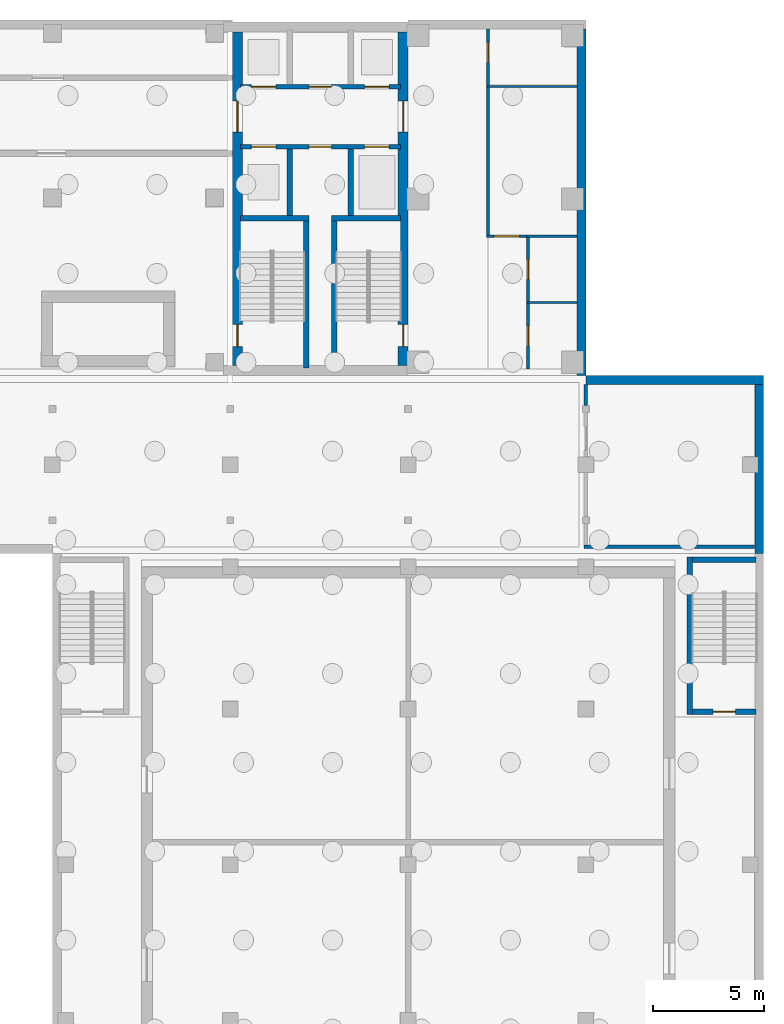
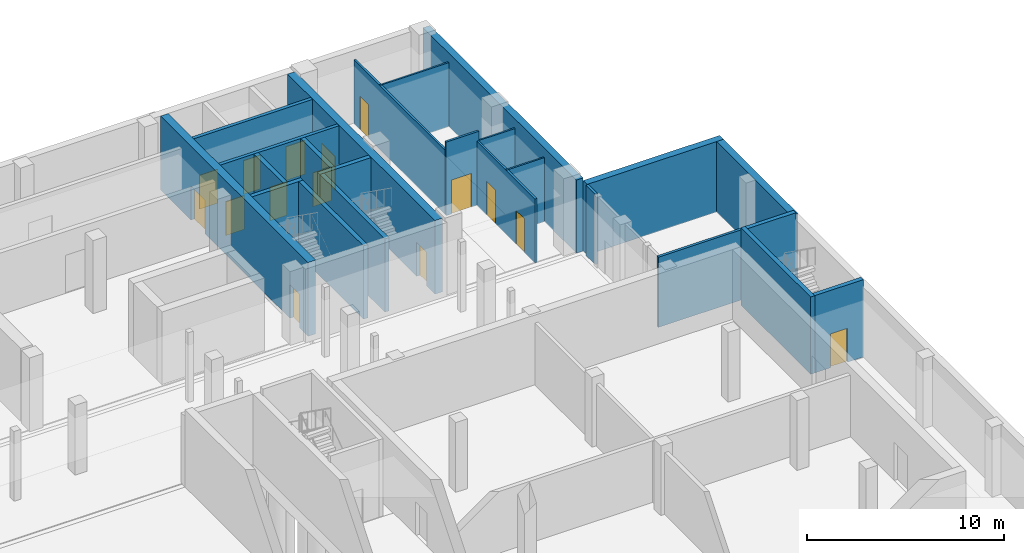
# One storey, part 9 of 21: 24 walls, 15 doors, 15 openings.
"""IFC4 building model written with IfcOpenShell, lengths in metres."""

import ifcopenshell
import ifcopenshell.guid

model = None  # the IFC model being written
_history = None  # IfcOwnerHistory: only IFC2X3 demands one
_inside = {}  # id of a spatial element -> (the spatial element, [elements in it])
_under = {}  # id of a project, library or spatial element -> (it, [spatial elements below it])
_declared = {}  # id of a project -> (the project, [libraries it declares])
_typed = {}  # id of a type object -> (the type object, [elements of that type])
_made_of = {}  # id of a material, layer set ... -> (it, [elements and type objects made of it])


def new_model(schema):
    """Start an empty IFC model of exactly this schema.

    Asked for "IFC4X3", IfcOpenShell would pick the latest addendum, in which some entities
    have other attributes; the version numbers below select the first issue.
    IFC2X3 requires an IfcOwnerHistory on every rooted entity: one is made here for all.
    """
    global model, _history
    if schema == "IFC4X3":
        model = ifcopenshell.file(schema_version=(4, 3, 0, 0))
    else:
        model = ifcopenshell.file(schema=schema)
    _inside.clear()
    _under.clear()
    _declared.clear()
    _typed.clear()
    _made_of.clear()
    _history = None
    if model.schema == "IFC2X3":
        org = make("IfcOrganization", Name="unknown")
        user = make(
            "IfcPersonAndOrganization",
            ThePerson=make("IfcPerson", FamilyName="unknown"),
            TheOrganization=org,
        )
        app = make(
            "IfcApplication",
            ApplicationDeveloper=org,
            Version="unknown",
            ApplicationFullName="unknown",
            ApplicationIdentifier="unknown",
        )
        _history = make(
            "IfcOwnerHistory",
            OwningUser=user,
            OwningApplication=app,
            ChangeAction="ADDED",
            CreationDate=0,
        )
    return model


def make(cls, **values):
    """One entity of the class cls with the attributes given. An attribute that is None is left unset."""
    return model.create_entity(
        cls, **{name: value for name, value in values.items() if value is not None}
    )


def rooted(cls, **values):
    """An entity with a GlobalId (a new one), such as an element, a storey or a relation."""
    return make(cls, GlobalId=ifcopenshell.guid.new(), OwnerHistory=_history, **values)


def si_unit(unit_type, name, prefix=None):
    """IfcSIUnit, for example si_unit("LENGTHUNIT", "METRE", prefix="MILLI")."""
    return make("IfcSIUnit", UnitType=unit_type, Prefix=prefix, Name=name)


def assignment(units):
    """IfcUnitAssignment: the units of a project."""
    return None if units is None else make("IfcUnitAssignment", Units=units)


def point(xyz):
    """IfcCartesianPoint."""
    return None if xyz is None else make("IfcCartesianPoint", Coordinates=xyz)


def direction(xyz):
    """IfcDirection."""
    return None if xyz is None else make("IfcDirection", DirectionRatios=xyz)


def frame(location, z_axis=None, x_axis=None):
    """IfcAxis2Placement3D, a coordinate frame: its origin and axes. An axis left out is left unset."""
    return make(
        "IfcAxis2Placement3D",
        Location=point(location),
        Axis=direction(z_axis),
        RefDirection=direction(x_axis),
    )


def frame_2d(location, x_axis=None):
    """IfcAxis2Placement2D, a coordinate frame in the plane: its origin and x axis."""
    return make(
        "IfcAxis2Placement2D", Location=point(location), RefDirection=direction(x_axis)
    )


def origin():
    """The frame at (0, 0, 0) with its axes left unset."""
    return frame((0.0, 0.0, 0.0))


def place(relative_to, where):
    """IfcLocalPlacement: puts the frame where relative to a parent placement (None: the world)."""
    return make(
        "IfcLocalPlacement", PlacementRelTo=relative_to, RelativePlacement=where
    )


def context(
    kind, dimensions, precision=None, world=None, true_north=None, identifier=None
):
    """IfcGeometricRepresentationContext, for example the 3D "Model" context."""
    return make(
        "IfcGeometricRepresentationContext",
        ContextIdentifier=identifier,
        ContextType=kind,
        CoordinateSpaceDimension=dimensions,
        Precision=precision,
        WorldCoordinateSystem=world,
        TrueNorth=true_north,
    )


def subcontext(parent, identifier, kind, view, scale=None):
    """IfcGeometricRepresentationSubContext, for example "Body" below "Model"."""
    return make(
        "IfcGeometricRepresentationSubContext",
        ContextIdentifier=identifier,
        ContextType=kind,
        ParentContext=parent,
        TargetScale=scale,
        TargetView=view,
    )


def project(units=None, contexts=None):
    """IfcProject with its units and contexts."""
    return rooted(
        "IfcProject",
        Name="project",
        RepresentationContexts=contexts,
        UnitsInContext=assignment(units),
    )


def spatial(cls, under=None, at=None, **own):
    """A site, building, storey or space (cls), placed at a placement, below another one or the project."""
    s = rooted(cls, ObjectPlacement=at, **own)
    if under is not None:
        _under.setdefault(under.id(), (under, []))[1].append(s)
    return s


def profile(cls, at=None, kind="AREA", **sizes):
    """A parametric profile (cls). Its sizes go by their IFC names, for example OverallWidth=200.0."""
    return make(cls, ProfileType=kind, Position=at, **sizes)


def rectangle(**sizes):
    """IfcRectangleProfileDef."""
    return profile("IfcRectangleProfileDef", **sizes)


def extrude(swept, where, along, depth):
    """IfcExtrudedAreaSolid: the profile swept, set in the frame where, extruded along a direction by depth."""
    return make(
        "IfcExtrudedAreaSolid",
        SweptArea=swept,
        Position=where,
        ExtrudedDirection=direction(along),
        Depth=depth,
    )


def shape(context_of_items, identifier, shape_type, items):
    """IfcShapeRepresentation: the items that make up one representation, for example the "Body"."""
    return make(
        "IfcShapeRepresentation",
        ContextOfItems=context_of_items,
        RepresentationIdentifier=identifier,
        RepresentationType=shape_type,
        Items=items,
    )


def material(Name=None, Category=None):
    """IfcMaterial."""
    return make("IfcMaterial", Name=Name, Category=Category)


def layer(
    of_material, thickness, ventilated=None, Name=None, Category=None, Priority=None
):
    """IfcMaterialLayer: one layer of a wall or slab, of a material (None: an air gap)."""
    return make(
        "IfcMaterialLayer",
        Material=of_material,
        LayerThickness=thickness,
        IsVentilated=ventilated,
        Name=Name,
        Category=Category,
        Priority=Priority,
    )


def layer_set(layers, Name=None):
    """IfcMaterialLayerSet."""
    return make("IfcMaterialLayerSet", MaterialLayers=layers, LayerSetName=Name)


def made_of(thing, what):
    """Note that an element or type object is made of a material, layer set ...; save() writes the relation."""
    if what is not None:
        _made_of.setdefault(what.id(), (what, []))[1].append(thing)
    return thing


def type_object(cls, material=None, **own):
    """A type object (cls), such as IfcWallType, which elements share."""
    return made_of(rooted(cls, **own), material)


def element(
    cls,
    number,
    at=None,
    inside=None,
    cuts=None,
    type_object=None,
    material=None,
    context=None,
    identifier="Body",
    shape_type=None,
    held_by="IfcProductDefinitionShape",
    body=None,
    shapes=None,
    **own,
):
    """One element of the class cls, such as IfcWall. Its Tag is "e" and its number.

    at: its placement. inside: the storey or other place that contains it. cuts: it is an
    opening in that element (IfcRelVoidsElement). A single representation is given by context,
    identifier, shape_type and body (its items); several are given by shapes. held_by: the class
    of the entity that holds the representations. save() writes the other relations.
    """
    e = rooted(cls, Tag="e%d" % number, ObjectPlacement=at, **own)
    if body is not None:
        shapes = [shape(context, identifier, shape_type, body)]
    if shapes is not None:
        e.Representation = make(held_by, Representations=shapes)
    if inside is not None:
        _inside.setdefault(inside.id(), (inside, []))[1].append(e)
    if cuts is not None:
        rooted(
            "IfcRelVoidsElement", RelatingBuildingElement=cuts, RelatedOpeningElement=e
        )
    if type_object is not None:
        _typed.setdefault(type_object.id(), (type_object, []))[1].append(e)
    return made_of(e, material)


def fill(opening, filler):
    """IfcRelFillsElement: the door or window that sits in an opening."""
    return rooted(
        "IfcRelFillsElement",
        RelatingOpeningElement=opening,
        RelatedBuildingElement=filler,
    )


def aggregate(whole, parts):
    """IfcRelAggregates: a whole, such as a stair, and the parts it consists of."""
    return rooted("IfcRelAggregates", RelatingObject=whole, RelatedObjects=parts)


def save(model, path):
    """Write the relations noted so far, then the file.

    IfcRelAggregates (storeys below a building ...), IfcRelContainedInSpatialStructure (elements
    in a storey), IfcRelDefinesByType, IfcRelAssociatesMaterial and IfcRelDeclares: one each for
    every whole, place, type object, material and project.
    """
    for whole, parts in _under.values():
        aggregate(whole, parts)
    for where, things in _inside.values():
        rooted(
            "IfcRelContainedInSpatialStructure",
            RelatedElements=things,
            RelatingStructure=where,
        )
    for kind, things in _typed.values():
        rooted("IfcRelDefinesByType", RelatedObjects=things, RelatingType=kind)
    for what, things in _made_of.values():
        rooted("IfcRelAssociatesMaterial", RelatedObjects=things, RelatingMaterial=what)
    for by, libraries in _declared.values():
        rooted("IfcRelDeclares", RelatingContext=by, RelatedDefinitions=libraries)
    model.write(path)


model = new_model("IFC4")

# Units and contexts
model_context = context("Model", 3, precision=1e-05, world=origin(), true_north=direction((0.0, 1.0)))
body_context = subcontext(model_context, "Body", "Model", "MODEL_VIEW")
ifc_project = project(units=[si_unit("LENGTHUNIT", "METRE"), si_unit("AREAUNIT", "SQUARE_METRE"), si_unit("VOLUMEUNIT", "CUBIC_METRE"), si_unit("PLANEANGLEUNIT", "RADIAN"), si_unit("MASSUNIT", "GRAM", prefix="KILO")], contexts=[model_context])

# Site, building, storey
site_placement = place(None, origin())
site = spatial("IfcSite", under=ifc_project, at=site_placement, CompositionType="ELEMENT")
building_placement = place(site_placement, origin())
building = spatial("IfcBuilding", under=site, at=building_placement, Name="Lantern Court Media Centre", CompositionType="ELEMENT")
storey_placement = place(building_placement, frame((0.0, 0.0, -4.800048828125)))
storey = spatial("IfcBuildingStorey", under=building, at=storey_placement, Name="B1", CompositionType="ELEMENT", Elevation=-4.800048828125)

# Wall, opening, door
ifc_material_1 = material(Name="Gypsum board partition")
ifc_layer_1 = layer(ifc_material_1, 0.125)
ifc_layer_set_1 = layer_set([ifc_layer_1], Name="Gypsum board partition")
wall_type_1 = type_object("IfcWallType", Name="Corridor partition 125", PredefinedType="PARTITIONING", material=ifc_layer_set_1)
wall_1_placement = place(storey_placement, frame((91.53759765625, 54.27001953125, 0.0), z_axis=(0.0, 0.0, 1.0), x_axis=(1.0, 0.0, 0.0)))
wall_1 = element("IfcWall", 1, at=wall_1_placement, inside=storey, type_object=wall_type_1, Name="B1 partition 003", PredefinedType="PARTITIONING", context=body_context, shape_type="SweptSolid", body=[
    extrude(rectangle(XDim=1.9248046875, YDim=0.125, at=frame_2d((0.96240234375, 0.0))), origin(), (0.0, 0.0, 1.0), 4.56005859375),
])
opening_1_placement = place(wall_1_placement, frame((0.321533203125, 0.0, 0.0)))
opening_1 = element("IfcOpeningElement", 2, at=opening_1_placement, cuts=wall_1, Name="Opening B1-005", PredefinedType="OPENING", context=body_context, shape_type="SweptSolid", body=[
    extrude(rectangle(XDim=1.14990234375, YDim=2.10009765625, at=frame_2d((0.574951171875, 1.050048828125))), frame((0.0, 0.072509765625, 0.0), z_axis=(0.0, -1.0, 0.0), x_axis=(1.0, 0.0, 0.0)), (0.0, 0.0, 1.0), 0.14501953125),
])
ifc_material_2 = material(Name="Solid-core timber door leaf", Category="wood")
door_type_1 = type_object("IfcDoorType", Name="Single door 1150x2100", OperationType="NOTDEFINED", PredefinedType="DOOR", material=ifc_material_2)
door_1_placement = place(opening_1_placement, origin())
door_1 = element("IfcDoor", 3, at=door_1_placement, inside=storey, type_object=door_type_1, Name="B1 Chiller Plant Room door", OperationType="SINGLE_SWING_RIGHT", OverallHeight=2.10009765625, OverallWidth=1.14990234375, PredefinedType="DOOR", context=body_context, shape_type="SweptSolid", body=[
    extrude(rectangle(XDim=1.14990234375, YDim=2.10009765625, at=frame_2d((0.574951171875, 1.050048828125))), frame((0.0, 0.02490234375, 0.0), z_axis=(0.0, -1.0, 0.0), x_axis=(1.0, 0.0, 0.0)), (0.0, 0.0, 1.0), 0.050048828125),
])
fill(opening_1, door_1)

wall_2_placement = place(storey_placement, frame((91.60009765625, 54.3330078125, 0.0), z_axis=(0.0, 0.0, 1.0), x_axis=(0.0, 1.0, 0.0)))
wall_2 = element("IfcWall", 4, at=wall_2_placement, inside=storey, type_object=wall_type_1, Name="B1 partition 010", PredefinedType="PARTITIONING", context=body_context, shape_type="SweptSolid", body=[
    extrude(rectangle(XDim=9.26708984375, YDim=0.125, at=frame_2d((4.633544921875, 0.0))), origin(), (0.0, 0.0, 1.0), 3.97998046875),
])
opening_2_placement = place(wall_2_placement, frame((7.765625, 0.0, 0.0)))
opening_2 = element("IfcOpeningElement", 5, at=opening_2_placement, cuts=wall_2, Name="Opening B1-006", PredefinedType="OPENING", context=body_context, shape_type="SweptSolid", body=[
    extrude(rectangle(XDim=0.89990234375, YDim=2.10009765625, at=frame_2d((0.449951171875, 1.050048828125))), frame((0.0, 0.072509765625, 0.0), z_axis=(0.0, -1.0, 0.0), x_axis=(1.0, 0.0, 0.0)), (0.0, 0.0, 1.0), 0.14501953125),
])
door_type_2 = type_object("IfcDoorType", Name="Single door 900x2100", OperationType="NOTDEFINED", PredefinedType="DOOR", material=ifc_material_2)
door_2_placement = place(opening_2_placement, frame((0.89990234375, 0.0, 0.0), z_axis=(0.0, 0.0, 1.0), x_axis=(-1.0, 0.0, 0.0)))
door_2 = element("IfcDoor", 6, at=door_2_placement, inside=storey, type_object=door_type_2, Name="B1 Switchroom door", OperationType="SINGLE_SWING_LEFT", OverallHeight=2.10009765625, OverallWidth=0.89990234375, PredefinedType="DOOR", context=body_context, shape_type="SweptSolid", body=[
    extrude(rectangle(XDim=0.89990234375, YDim=2.10009765625, at=frame_2d((0.449951171875, 1.050048828125))), frame((0.0, 0.02490234375, 0.0), z_axis=(0.0, -1.0, 0.0), x_axis=(1.0, 0.0, 0.0)), (0.0, 0.0, 1.0), 0.050048828125),
])
fill(opening_2, door_2)

# Wall, openings, doors
wall_3_placement = place(storey_placement, frame((93.39990234375, 48.300048828125, 0.0), z_axis=(0.0, 0.0, 1.0), x_axis=(0.0, 1.0, 0.0)))
wall_3 = element("IfcWall", 7, at=wall_3_placement, inside=storey, type_object=wall_type_1, Name="B1 partition 011", PredefinedType="PARTITIONING", context=body_context, shape_type="SweptSolid", body=[
    extrude(rectangle(XDim=5.907958984375, YDim=0.125, at=frame_2d((2.9541015625, 0.0))), origin(), (0.0, 0.0, 1.0), 3.97998046875),
])
opening_3_placement = place(wall_3_placement, frame((1.04248046875, 0.0, 0.0)))
opening_3 = element("IfcOpeningElement", 8, at=opening_3_placement, cuts=wall_3, Name="Opening B1-007", PredefinedType="OPENING", context=body_context, shape_type="SweptSolid", body=[
    extrude(rectangle(XDim=0.89990234375, YDim=2.10009765625, at=frame_2d((0.449951171875, 1.050048828125))), frame((0.0, 0.072509765625, 0.0), z_axis=(0.0, -1.0, 0.0), x_axis=(1.0, 0.0, 0.0)), (0.0, 0.0, 1.0), 0.14501953125),
])
opening_4_placement = place(wall_3_placement, frame((4.02783203125, 0.0, 0.0)))
opening_4 = element("IfcOpeningElement", 9, at=opening_4_placement, cuts=wall_3, Name="Opening B1-008", PredefinedType="OPENING", context=body_context, shape_type="SweptSolid", body=[
    extrude(rectangle(XDim=0.89990234375, YDim=2.10009765625, at=frame_2d((0.449951171875, 1.050048828125))), frame((0.0, 0.072509765625, 0.0), z_axis=(0.0, -1.0, 0.0), x_axis=(1.0, 0.0, 0.0)), (0.0, 0.0, 1.0), 0.14501953125),
])
door_3_placement = place(opening_3_placement, frame((0.89990234375, 0.0, 0.0), z_axis=(0.0, 0.0, 1.0), x_axis=(-1.0, 0.0, 0.0)))
door_3 = element("IfcDoor", 10, at=door_3_placement, inside=storey, type_object=door_type_2, Name="B1 WC Male door", OperationType="SINGLE_SWING_RIGHT", OverallHeight=2.10009765625, OverallWidth=0.89990234375, PredefinedType="DOOR", context=body_context, shape_type="SweptSolid", body=[
    extrude(rectangle(XDim=0.89990234375, YDim=2.10009765625, at=frame_2d((0.449951171875, 1.050048828125))), frame((0.0, 0.02490234375, 0.0), z_axis=(0.0, -1.0, 0.0), x_axis=(1.0, 0.0, 0.0)), (0.0, 0.0, 1.0), 0.050048828125),
])
fill(opening_3, door_3)
door_4_placement = place(opening_4_placement, frame((0.89990234375, 0.0, 0.0), z_axis=(0.0, 0.0, 1.0), x_axis=(-1.0, 0.0, 0.0)))
door_4 = element("IfcDoor", 11, at=door_4_placement, inside=storey, type_object=door_type_2, Name="B1 WC Female door", OperationType="SINGLE_SWING_LEFT", OverallHeight=2.10009765625, OverallWidth=0.89990234375, PredefinedType="DOOR", context=body_context, shape_type="SweptSolid", body=[
    extrude(rectangle(XDim=0.89990234375, YDim=2.10009765625, at=frame_2d((0.449951171875, 1.050048828125))), frame((0.0, 0.02490234375, 0.0), z_axis=(0.0, -1.0, 0.0), x_axis=(1.0, 0.0, 0.0)), (0.0, 0.0, 1.0), 0.050048828125),
])
fill(opening_4, door_4)

ifc_material_3 = material(Name="Concrete C40", Category="concrete")
ifc_layer_2 = layer(ifc_material_3, 0.199951171875)
ifc_layer_set_2 = layer_set([ifc_layer_2], Name="Concrete C40")
wall_type_2 = type_object("IfcWallType", Name="Fire lobby wall 200", PredefinedType="SOLIDWALL", material=ifc_layer_set_2)
wall_4_placement = place(storey_placement, frame((87.64990234375, 58.300048828125, 0.0), z_axis=(0.0, 0.0, 1.0), x_axis=(-1.0, 0.0, 0.0)))
wall_4 = element("IfcWall", 12, at=wall_4_placement, inside=storey, type_object=wall_type_2, Name="B1 SE FW1", PredefinedType="SOLIDWALL", context=body_context, shape_type="SweptSolid", body=[
    extrude(rectangle(XDim=7.199951171875, YDim=0.199951171875, at=frame_2d((3.60009765625, 0.0))), origin(), (0.0, 0.0, 1.0), 4.550048828125),
])
opening_5_placement = place(wall_4_placement, frame((0.5, 0.0, 0.0)))
opening_5 = element("IfcOpeningElement", 13, at=opening_5_placement, cuts=wall_4, Name="Opening LD-SEFF-B1", PredefinedType="OPENING", context=body_context, shape_type="SweptSolid", body=[
    extrude(rectangle(XDim=1.10009765625, YDim=2.10009765625, at=frame_2d((0.550048828125, 1.050048828125))), frame((0.0, 0.10986328125, 0.0), z_axis=(0.0, -1.0, 0.0), x_axis=(1.0, 0.0, 0.0)), (0.0, 0.0, 1.0), 0.219970703125),
])
opening_6_placement = place(wall_4_placement, frame((5.60009765625, 0.0, 0.0)))
opening_6 = element("IfcOpeningElement", 14, at=opening_6_placement, cuts=wall_4, Name="Opening LD-SEP1-B1", PredefinedType="OPENING", context=body_context, shape_type="SweptSolid", body=[
    extrude(rectangle(XDim=1.10009765625, YDim=2.10009765625, at=frame_2d((0.550048828125, 1.050048828125))), frame((0.0, 0.10986328125, 0.0), z_axis=(0.0, -1.0, 0.0), x_axis=(1.0, 0.0, 0.0)), (0.0, 0.0, 1.0), 0.219970703125),
])
opening_7_placement = place(wall_4_placement, frame((3.10009765625, 0.0, 0.0)))
opening_7 = element("IfcOpeningElement", 15, at=opening_7_placement, cuts=wall_4, Name="Opening SE-B1-03", PredefinedType="OPENING", context=body_context, shape_type="SweptSolid", body=[
    extrude(rectangle(XDim=1.0, YDim=2.10009765625, at=frame_2d((0.5, 1.050048828125))), frame((0.0, 0.10986328125, 0.0), z_axis=(0.0, -1.0, 0.0), x_axis=(1.0, 0.0, 0.0)), (0.0, 0.0, 1.0), 0.219970703125),
])
ifc_material_4 = material(Name="Steel door leaf", Category="steel")
door_type_3 = type_object("IfcDoorType", Name="Lift landing door 1100x2100", OperationType="DOUBLE_DOOR_SLIDING", PredefinedType="DOOR", material=ifc_material_4)
door_5_placement = place(opening_5_placement, frame((1.10009765625, 0.0, 0.0), z_axis=(0.0, 0.0, 1.0), x_axis=(-1.0, 0.0, 0.0)))
door_5 = element("IfcDoor", 16, at=door_5_placement, inside=storey, type_object=door_type_3, Name="B1 SE lift FF landing door", OperationType="DOUBLE_DOOR_SLIDING", OverallHeight=2.10009765625, OverallWidth=1.10009765625, PredefinedType="DOOR", context=body_context, shape_type="SweptSolid", body=[
    extrude(rectangle(XDim=1.10009765625, YDim=2.10009765625, at=frame_2d((0.550048828125, 1.050048828125))), frame((0.0, 0.02490234375, 0.0), z_axis=(0.0, -1.0, 0.0), x_axis=(1.0, 0.0, 0.0)), (0.0, 0.0, 1.0), 0.050048828125),
])
fill(opening_5, door_5)
door_6_placement = place(opening_6_placement, frame((1.10009765625, 0.0, 0.0), z_axis=(0.0, 0.0, 1.0), x_axis=(-1.0, 0.0, 0.0)))
door_6 = element("IfcDoor", 17, at=door_6_placement, inside=storey, type_object=door_type_3, Name="B1 SE lift P1 landing door", OperationType="DOUBLE_DOOR_SLIDING", OverallHeight=2.10009765625, OverallWidth=1.10009765625, PredefinedType="DOOR", context=body_context, shape_type="SweptSolid", body=[
    extrude(rectangle(XDim=1.10009765625, YDim=2.10009765625, at=frame_2d((0.550048828125, 1.050048828125))), frame((0.0, 0.02490234375, 0.0), z_axis=(0.0, -1.0, 0.0), x_axis=(1.0, 0.0, 0.0)), (0.0, 0.0, 1.0), 0.050048828125),
])
fill(opening_6, door_6)
door_type_4 = type_object("IfcDoorType", Name="Service door 1000x2100", OperationType="NOTDEFINED", PredefinedType="DOOR", material=ifc_material_4)
door_7_placement = place(opening_7_placement, frame((1.0, 0.0, 0.0), z_axis=(0.0, 0.0, 1.0), x_axis=(-1.0, 0.0, 0.0)))
door_7 = element("IfcDoor", 18, at=door_7_placement, inside=storey, type_object=door_type_4, Name="B1 SE services riser door", OperationType="SINGLE_SWING_LEFT", OverallHeight=2.10009765625, OverallWidth=1.0, PredefinedType="DOOR", context=body_context, shape_type="SweptSolid", body=[
    extrude(rectangle(XDim=1.0, YDim=2.10009765625, at=frame_2d((0.5, 1.050048828125))), frame((0.0, 0.02490234375, 0.0), z_axis=(0.0, -1.0, 0.0), x_axis=(1.0, 0.0, 0.0)), (0.0, 0.0, 1.0), 0.050048828125),
])
fill(opening_7, door_7)

wall_5_placement = place(storey_placement, frame((87.64990234375, 61.0, 0.0), z_axis=(0.0, 0.0, 1.0), x_axis=(-1.0, 0.0, 0.0)))
wall_5 = element("IfcWall", 19, at=wall_5_placement, inside=storey, type_object=wall_type_2, Name="B1 SE FW2", PredefinedType="SOLIDWALL", context=body_context, shape_type="SweptSolid", body=[
    extrude(rectangle(XDim=7.199951171875, YDim=0.199951171875, at=frame_2d((3.60009765625, 0.0))), origin(), (0.0, 0.0, 1.0), 4.550048828125),
])
opening_8_placement = place(wall_5_placement, frame((0.5, 0.0, 0.0)))
opening_8 = element("IfcOpeningElement", 20, at=opening_8_placement, cuts=wall_5, Name="Opening LD-SEP2-B1", PredefinedType="OPENING", context=body_context, shape_type="SweptSolid", body=[
    extrude(rectangle(XDim=1.10009765625, YDim=2.10009765625, at=frame_2d((0.550048828125, 1.050048828125))), frame((0.0, 0.10986328125, 0.0), z_axis=(0.0, -1.0, 0.0), x_axis=(1.0, 0.0, 0.0)), (0.0, 0.0, 1.0), 0.219970703125),
])
opening_9_placement = place(wall_5_placement, frame((5.60009765625, 0.0, 0.0)))
opening_9 = element("IfcOpeningElement", 21, at=opening_9_placement, cuts=wall_5, Name="Opening LD-SEP3-B1", PredefinedType="OPENING", context=body_context, shape_type="SweptSolid", body=[
    extrude(rectangle(XDim=1.10009765625, YDim=2.10009765625, at=frame_2d((0.550048828125, 1.050048828125))), frame((0.0, 0.10986328125, 0.0), z_axis=(0.0, -1.0, 0.0), x_axis=(1.0, 0.0, 0.0)), (0.0, 0.0, 1.0), 0.219970703125),
])
opening_10_placement = place(wall_5_placement, frame((3.10009765625, 0.0, 0.0)))
opening_10 = element("IfcOpeningElement", 22, at=opening_10_placement, cuts=wall_5, Name="Opening SE-B1-04", PredefinedType="OPENING", context=body_context, shape_type="SweptSolid", body=[
    extrude(rectangle(XDim=1.0, YDim=2.10009765625, at=frame_2d((0.5, 1.050048828125))), frame((0.0, 0.10986328125, 0.0), z_axis=(0.0, -1.0, 0.0), x_axis=(1.0, 0.0, 0.0)), (0.0, 0.0, 1.0), 0.219970703125),
])
door_8_placement = place(opening_8_placement, origin())
door_8 = element("IfcDoor", 23, at=door_8_placement, inside=storey, type_object=door_type_3, Name="B1 SE lift P2 landing door", OperationType="DOUBLE_DOOR_SLIDING", OverallHeight=2.10009765625, OverallWidth=1.10009765625, PredefinedType="DOOR", context=body_context, shape_type="SweptSolid", body=[
    extrude(rectangle(XDim=1.10009765625, YDim=2.10009765625, at=frame_2d((0.550048828125, 1.050048828125))), frame((0.0, 0.02490234375, 0.0), z_axis=(0.0, -1.0, 0.0), x_axis=(1.0, 0.0, 0.0)), (0.0, 0.0, 1.0), 0.050048828125),
])
fill(opening_8, door_8)
door_9_placement = place(opening_9_placement, origin())
door_9 = element("IfcDoor", 24, at=door_9_placement, inside=storey, type_object=door_type_3, Name="B1 SE lift P3 landing door", OperationType="DOUBLE_DOOR_SLIDING", OverallHeight=2.10009765625, OverallWidth=1.10009765625, PredefinedType="DOOR", context=body_context, shape_type="SweptSolid", body=[
    extrude(rectangle(XDim=1.10009765625, YDim=2.10009765625, at=frame_2d((0.550048828125, 1.050048828125))), frame((0.0, 0.02490234375, 0.0), z_axis=(0.0, -1.0, 0.0), x_axis=(1.0, 0.0, 0.0)), (0.0, 0.0, 1.0), 0.050048828125),
])
fill(opening_9, door_9)
door_10_placement = place(opening_10_placement, origin())
door_10 = element("IfcDoor", 25, at=door_10_placement, inside=storey, type_object=door_type_4, Name="B1 SE accessible WC door", OperationType="SINGLE_SWING_RIGHT", OverallHeight=2.10009765625, OverallWidth=1.0, PredefinedType="DOOR", context=body_context, shape_type="SweptSolid", body=[
    extrude(rectangle(XDim=1.0, YDim=2.10009765625, at=frame_2d((0.5, 1.050048828125))), frame((0.0, 0.02490234375, 0.0), z_axis=(0.0, -1.0, 0.0), x_axis=(1.0, 0.0, 0.0)), (0.0, 0.0, 1.0), 0.050048828125),
])
fill(opening_10, door_10)

# Walls
ifc_layer_3 = layer(ifc_material_1, 0.10009765625)
ifc_layer_set_3 = layer_set([ifc_layer_3], Name="Gypsum board partition")
wall_type_3 = type_object("IfcWallType", Name="Partition 100", PredefinedType="PARTITIONING", material=ifc_layer_set_3)
wall_6_placement = place(storey_placement, frame((93.33740234375, 54.27001953125, 0.0), z_axis=(0.0, 0.0, 1.0), x_axis=(1.0, 0.0, 0.0)))
element("IfcWall", 26, at=wall_6_placement, inside=storey, type_object=wall_type_3, Name="B1 partition 004", PredefinedType="PARTITIONING", context=body_context, shape_type="SweptSolid", body=[
    extrude(rectangle(XDim=2.257568359375, YDim=0.10009765625, at=frame_2d((1.12890625, 0.0))), origin(), (0.0, 0.0, 1.0), 3.97998046875),
])
wall_7_placement = place(storey_placement, frame((91.53759765625, 61.010986328125, 0.0), z_axis=(0.0, 0.0, 1.0), x_axis=(1.0, 0.0, 0.0)))
element("IfcWall", 27, at=wall_7_placement, inside=storey, type_object=wall_type_3, Name="B1 partition 006", PredefinedType="PARTITIONING", context=body_context, shape_type="SweptSolid", body=[
    extrude(rectangle(XDim=4.057373046875, YDim=0.10009765625, at=frame_2d((2.02880859375, 0.0))), origin(), (0.0, 0.0, 1.0), 3.97998046875),
])
wall_8_placement = place(storey_placement, frame((93.33740234375, 51.284912109375, 0.0), z_axis=(0.0, 0.0, 1.0), x_axis=(1.0, 0.0, 0.0)))
element("IfcWall", 28, at=wall_8_placement, inside=storey, type_object=wall_type_3, Name="B1 partition 009", PredefinedType="PARTITIONING", context=body_context, shape_type="SweptSolid", body=[
    extrude(rectangle(XDim=2.257568359375, YDim=0.10009765625, at=frame_2d((1.12890625, 0.0))), origin(), (0.0, 0.0, 1.0), 3.97998046875),
])
ifc_material_5 = material(Name="Concrete blockwork C20", Category="masonry")
ifc_layer_4 = layer(ifc_material_5, 0.14990234375)
ifc_layer_set_4 = layer_set([ifc_layer_4], Name="Concrete blockwork C20")
wall_type_4 = type_object("IfcWallType", Name="Partition 150 masonry", PredefinedType="PARTITIONING", material=ifc_layer_set_4)
wall_9_placement = place(storey_placement, frame((95.925048828125, 40.300048828125, 0.0), z_axis=(0.0, 0.0, 1.0), x_axis=(1.0, 0.0, 0.0)))
element("IfcWall", 29, at=wall_9_placement, inside=storey, type_object=wall_type_4, Name="B1 partition 046", PredefinedType="PARTITIONING", context=body_context, shape_type="SweptSolid", body=[
    extrude(rectangle(XDim=7.669921875, YDim=0.14990234375, at=frame_2d((3.8349609375, 0.0))), origin(), (0.0, 0.0, 1.0), 4.360107421875),
])
wall_10_placement = place(storey_placement, frame((96.0, 46.655029296875, 0.0), z_axis=(0.0, 0.0, 1.0), x_axis=(0.0, 1.0, 0.0)))
element("IfcWall", 30, at=wall_10_placement, inside=storey, type_object=wall_type_4, Name="B1 partition 050", PredefinedType="PARTITIONING", context=body_context, shape_type="SweptSolid", body=[
    extrude(rectangle(XDim=0.945068359375, YDim=0.14990234375, at=frame_2d((0.47265625, 0.0))), origin(), (0.0, 0.0, 1.0), 4.360107421875),
])

# Wall, openings, doors
ifc_layer_5 = layer(ifc_material_3, 0.449951171875)
ifc_layer_set_5 = layer_set([ifc_layer_5], Name="Concrete C40")
wall_type_5 = type_object("IfcWallType", Name="RC BASEMENT CORE WALL 450", PredefinedType="SHEAR", material=ifc_layer_set_5)
wall_11_placement = place(storey_placement, frame((80.324951171875, 48.449951171875, 0.0), z_axis=(0.0, 0.0, 1.0), x_axis=(0.0, 1.0, 0.0)))
wall_11 = element("IfcWall", 31, at=wall_11_placement, inside=storey, type_object=wall_type_5, Name="WC-SE-B1-W", PredefinedType="SHEAR", context=body_context, shape_type="SweptSolid", body=[
    extrude(rectangle(XDim=15.0, YDim=0.449951171875, at=frame_2d((7.5, 0.0))), origin(), (0.0, 0.0, 1.0), 4.580078125),
])
opening_11_placement = place(wall_11_placement, frame((0.85009765625, 0.0, 0.0)))
opening_11 = element("IfcOpeningElement", 32, at=opening_11_placement, cuts=wall_11, Name="Opening SE-B1-02", PredefinedType="OPENING", context=body_context, shape_type="SweptSolid", body=[
    extrude(rectangle(XDim=1.0, YDim=2.10009765625, at=frame_2d((0.5, 1.050048828125))), frame((0.0, 0.23486328125, 0.0), z_axis=(0.0, -1.0, 0.0), x_axis=(1.0, 0.0, 0.0)), (0.0, 0.0, 1.0), 0.469970703125),
])
opening_12_placement = place(wall_11_placement, frame((10.5, 0.0, 0.0)))
opening_12 = element("IfcOpeningElement", 33, at=opening_12_placement, cuts=wall_11, Name="Opening SE-B1-06", PredefinedType="OPENING", context=body_context, shape_type="SweptSolid", body=[
    extrude(rectangle(XDim=1.39990234375, YDim=2.10009765625, at=frame_2d((0.699951171875, 1.050048828125))), frame((0.0, 0.23486328125, 0.0), z_axis=(0.0, -1.0, 0.0), x_axis=(1.0, 0.0, 0.0)), (0.0, 0.0, 1.0), 0.469970703125),
])
door_type_5 = type_object("IfcDoorType", Name="Lift lobby double door 1400x2100", OperationType="NOTDEFINED", PredefinedType="DOOR", material=ifc_material_4)
door_11_placement = place(opening_12_placement, origin())
door_11 = element("IfcDoor", 34, at=door_11_placement, inside=storey, type_object=door_type_5, Name="B1 SE lift lobby east door", OperationType="SINGLE_SWING_LEFT", OverallHeight=2.10009765625, OverallWidth=1.39990234375, PredefinedType="DOOR", context=body_context, shape_type="SweptSolid", body=[
    extrude(rectangle(XDim=1.39990234375, YDim=2.10009765625, at=frame_2d((0.699951171875, 1.050048828125))), frame((0.0, 0.02490234375, 0.0), z_axis=(0.0, -1.0, 0.0), x_axis=(1.0, 0.0, 0.0)), (0.0, 0.0, 1.0), 0.050048828125),
])
fill(opening_12, door_11)
door_type_6 = type_object("IfcDoorType", Name="Stair door 1000x2100", OperationType="NOTDEFINED", PredefinedType="DOOR", material=ifc_material_4)
door_12_placement = place(opening_11_placement, origin())
door_12 = element("IfcDoor", 35, at=door_12_placement, inside=storey, type_object=door_type_6, Name="B1 SE stair B door", OperationType="SINGLE_SWING_LEFT", OverallHeight=2.10009765625, OverallWidth=1.0, PredefinedType="DOOR", context=body_context, shape_type="SweptSolid", body=[
    extrude(rectangle(XDim=1.0, YDim=2.10009765625, at=frame_2d((0.5, 1.050048828125))), frame((0.0, 0.02490234375, 0.0), z_axis=(0.0, -1.0, 0.0), x_axis=(1.0, 0.0, 0.0)), (0.0, 0.0, 1.0), 0.050048828125),
])
fill(opening_11, door_12)

wall_12_placement = place(storey_placement, frame((87.77490234375, 48.449951171875, 0.0), z_axis=(0.0, 0.0, 1.0), x_axis=(0.0, 1.0, 0.0)))
wall_12 = element("IfcWall", 36, at=wall_12_placement, inside=storey, type_object=wall_type_5, Name="WC-SE-B1-E", PredefinedType="SHEAR", context=body_context, shape_type="SweptSolid", body=[
    extrude(rectangle(XDim=15.0, YDim=0.449951171875, at=frame_2d((7.5, 0.0))), origin(), (0.0, 0.0, 1.0), 4.580078125),
])
opening_13_placement = place(wall_12_placement, frame((0.85009765625, 0.0, 0.0)))
opening_13 = element("IfcOpeningElement", 37, at=opening_13_placement, cuts=wall_12, Name="Opening SE-B1-01", PredefinedType="OPENING", context=body_context, shape_type="SweptSolid", body=[
    extrude(rectangle(XDim=1.0, YDim=2.10009765625, at=frame_2d((0.5, 1.050048828125))), frame((0.0, 0.23486328125, 0.0), z_axis=(0.0, -1.0, 0.0), x_axis=(1.0, 0.0, 0.0)), (0.0, 0.0, 1.0), 0.469970703125),
])
opening_14_placement = place(wall_12_placement, frame((10.5, 0.0, 0.0)))
opening_14 = element("IfcOpeningElement", 38, at=opening_14_placement, cuts=wall_12, Name="Opening SE-B1-05", PredefinedType="OPENING", context=body_context, shape_type="SweptSolid", body=[
    extrude(rectangle(XDim=1.39990234375, YDim=2.10009765625, at=frame_2d((0.699951171875, 1.050048828125))), frame((0.0, 0.23486328125, 0.0), z_axis=(0.0, -1.0, 0.0), x_axis=(1.0, 0.0, 0.0)), (0.0, 0.0, 1.0), 0.469970703125),
])
door_13_placement = place(opening_14_placement, frame((1.39990234375, 0.0, 0.0), z_axis=(0.0, 0.0, 1.0), x_axis=(-1.0, 0.0, 0.0)))
door_13 = element("IfcDoor", 39, at=door_13_placement, inside=storey, type_object=door_type_5, Name="B1 SE lift lobby west door", OperationType="SINGLE_SWING_LEFT", OverallHeight=2.10009765625, OverallWidth=1.39990234375, PredefinedType="DOOR", context=body_context, shape_type="SweptSolid", body=[
    extrude(rectangle(XDim=1.39990234375, YDim=2.10009765625, at=frame_2d((0.699951171875, 1.050048828125))), frame((0.0, 0.02490234375, 0.0), z_axis=(0.0, -1.0, 0.0), x_axis=(1.0, 0.0, 0.0)), (0.0, 0.0, 1.0), 0.050048828125),
])
fill(opening_14, door_13)
door_14_placement = place(opening_13_placement, frame((1.0, 0.0, 0.0), z_axis=(0.0, 0.0, 1.0), x_axis=(-1.0, 0.0, 0.0)))
door_14 = element("IfcDoor", 40, at=door_14_placement, inside=storey, type_object=door_type_6, Name="B1 SE stair A door", OperationType="SINGLE_SWING_LEFT", OverallHeight=2.10009765625, OverallWidth=1.0, PredefinedType="DOOR", context=body_context, shape_type="SweptSolid", body=[
    extrude(rectangle(XDim=1.0, YDim=2.10009765625, at=frame_2d((0.5, 1.050048828125))), frame((0.0, 0.02490234375, 0.0), z_axis=(0.0, -1.0, 0.0), x_axis=(1.0, 0.0, 0.0)), (0.0, 0.0, 1.0), 0.050048828125),
])
fill(opening_13, door_14)

# Walls
ifc_material_6 = material(Name="Concrete C35", Category="concrete")
ifc_layer_6 = layer(ifc_material_6, 0.39990234375)
ifc_layer_set_6 = layer_set([ifc_layer_6], Name="Concrete C35")
wall_type_6 = type_object("IfcWallType", Name="RC RETAINING WALL 400", PredefinedType="SOLIDWALL", material=ifc_layer_set_6)
wall_13_placement = place(storey_placement, frame((96.0, 47.800048828125, 0.0), z_axis=(0.0, 0.0, 1.0), x_axis=(1.0, 0.0, 0.0)))
element("IfcWall", 41, at=wall_13_placement, inside=storey, type_object=wall_type_6, Name="WR-B1-3", PredefinedType="SOLIDWALL", context=body_context, shape_type="SweptSolid", body=[
    extrude(rectangle(XDim=8.0, YDim=0.39990234375, at=frame_2d((4.0, 0.0))), origin(), (0.0, 0.0, 1.0), 4.380126953125),
])
wall_14_placement = place(storey_placement, frame((103.800048828125, 40.0, 0.0), z_axis=(0.0, 0.0, 1.0), x_axis=(0.0, 1.0, 0.0)))
element("IfcWall", 42, at=wall_14_placement, inside=storey, type_object=wall_type_6, Name="WR-B1-10", PredefinedType="SOLIDWALL", context=body_context, shape_type="SweptSolid", body=[
    extrude(rectangle(XDim=7.60009765625, YDim=0.39990234375, at=frame_2d((3.800048828125, 0.0))), origin(), (0.0, 0.0, 1.0), 4.380126953125),
])
wall_15_placement = place(storey_placement, frame((95.800048828125, 48.0, 0.0), z_axis=(0.0, 0.0, 1.0), x_axis=(0.0, 1.0, 0.0)))
element("IfcWall", 43, at=wall_15_placement, inside=storey, type_object=wall_type_6, Name="WR-B1-11", PredefinedType="SOLIDWALL", context=body_context, shape_type="SweptSolid", body=[
    extrude(rectangle(XDim=15.60009765625, YDim=0.39990234375, at=frame_2d((7.800048828125, 0.0))), origin(), (0.0, 0.0, 1.0), 4.550048828125),
])
ifc_layer_7 = layer(ifc_material_3, 0.25)
ifc_layer_set_7 = layer_set([ifc_layer_7], Name="Concrete C40")
wall_type_7 = type_object("IfcWallType", Name="RC lift shaft wall 250", PredefinedType="SOLIDWALL", material=ifc_layer_set_7)
for number, where, z_axis, x_axis, name in (
    (44, (85.425048828125, 55.199951171875, 0.0), (0.0, 0.0, 1.0), (0.0, 1.0, 0.0), "B1 SE L1a"),
    (45, (82.675048828125, 55.199951171875, 0.0), (0.0, 0.0, 1.0), (0.0, 1.0, 0.0), "B1 SE L2a"),
):
    element("IfcWall", number, at=place(storey_placement, frame(where, z_axis=z_axis, x_axis=x_axis)), inside=storey, type_object=wall_type_7, Name=name, PredefinedType="SOLIDWALL", context=body_context, shape_type="SweptSolid", body=[
        extrude(rectangle(XDim=3.0, YDim=0.25, at=frame_2d((1.5, 0.0))), origin(), (0.0, 0.0, 1.0), 4.550048828125),
    ])
ifc_layer_8 = layer(ifc_material_3, 0.25)
ifc_layer_set_8 = layer_set([ifc_layer_8], Name="Concrete C40")
wall_type_8 = type_object("IfcWallType", Name="RC stair shaft wall 250", PredefinedType="SOLIDWALL", material=ifc_layer_set_8)
for number, where, z_axis, x_axis, name in (
    (46, (84.675048828125, 48.35009765625, 0.0), (0.0, 0.0, 1.0), (0.0, 1.0, 0.0), "B1 SE SA"),
    (47, (83.425048828125, 48.35009765625, 0.0), (0.0, 0.0, 1.0), (0.0, 1.0, 0.0), "B1 SE SB"),
):
    element("IfcWall", number, at=place(storey_placement, frame(where, z_axis=z_axis, x_axis=x_axis)), inside=storey, type_object=wall_type_8, Name=name, PredefinedType="SOLIDWALL", context=body_context, shape_type="SweptSolid", body=[
        extrude(rectangle(XDim=6.599853515625, YDim=0.25, at=frame_2d((3.2998046875, 0.0))), origin(), (0.0, 0.0, 1.0), 4.550048828125),
    ])
wall_16_placement = place(storey_placement, frame((87.64990234375, 55.074951171875, 0.0), z_axis=(0.0, 0.0, 1.0), x_axis=(-1.0, 0.0, 0.0)))
element("IfcWall", 48, at=wall_16_placement, inside=storey, type_object=wall_type_8, Name="B1 SE SN1", PredefinedType="SOLIDWALL", context=body_context, shape_type="SweptSolid", body=[
    extrude(rectangle(XDim=3.099853515625, YDim=0.25, at=frame_2d((1.5498046875, 0.0))), origin(), (0.0, 0.0, 1.0), 4.550048828125),
])
wall_17_placement = place(storey_placement, frame((83.550048828125, 55.074951171875, 0.0), z_axis=(0.0, 0.0, 1.0), x_axis=(-1.0, 0.0, 0.0)))
element("IfcWall", 49, at=wall_17_placement, inside=storey, type_object=wall_type_8, Name="B1 SE SN2", PredefinedType="SOLIDWALL", context=body_context, shape_type="SweptSolid", body=[
    extrude(rectangle(XDim=3.10009765625, YDim=0.25, at=frame_2d((1.550048828125, 0.0))), origin(), (0.0, 0.0, 1.0), 4.550048828125),
])
wall_18_placement = place(storey_placement, frame((100.675048828125, 32.75, 0.0), z_axis=(0.0, 0.0, 1.0), x_axis=(0.0, 1.0, 0.0)))
element("IfcWall", 50, at=wall_18_placement, inside=storey, type_object=wall_type_8, Name="B1 V2-ST-E shaft wall W", PredefinedType="SOLIDWALL", context=body_context, shape_type="SweptSolid", body=[
    extrude(rectangle(XDim=7.10009765625, YDim=0.25, at=frame_2d((3.550048828125, 0.0))), origin(), (0.0, 0.0, 1.0), 4.800048828125),
])

# Wall, opening, door
wall_19_placement = place(storey_placement, frame((100.800048828125, 32.875, 0.0), z_axis=(0.0, 0.0, 1.0), x_axis=(1.0, 0.0, 0.0)))
wall_19 = element("IfcWall", 51, at=wall_19_placement, inside=storey, type_object=wall_type_8, Name="B1 V2-ST-E shaft wall S", PredefinedType="SOLIDWALL", context=body_context, shape_type="SweptSolid", body=[
    extrude(rectangle(XDim=2.849853515625, YDim=0.25, at=frame_2d((1.4248046875, 0.0))), origin(), (0.0, 0.0, 1.0), 4.800048828125),
])
opening_15_placement = place(wall_19_placement, frame((0.925048828125, 0.0, 0.0)))
opening_15 = element("IfcOpeningElement", 52, at=opening_15_placement, cuts=wall_19, Name="Opening V2-ST-E-B1-01", PredefinedType="OPENING", context=body_context, shape_type="SweptSolid", body=[
    extrude(rectangle(XDim=1.0, YDim=2.10009765625, at=frame_2d((0.5, 1.050048828125))), frame((0.0, 0.135009765625, 0.0), z_axis=(0.0, -1.0, 0.0), x_axis=(1.0, 0.0, 0.0)), (0.0, 0.0, 1.0), 0.27001953125),
])
door_15_placement = place(opening_15_placement, frame((1.0, 0.0, 0.0), z_axis=(0.0, 0.0, 1.0), x_axis=(-1.0, 0.0, 0.0)))
door_15 = element("IfcDoor", 53, at=door_15_placement, inside=storey, type_object=door_type_6, Name="B1 V2-ST-E stair door", OperationType="SINGLE_SWING_LEFT", OverallHeight=2.10009765625, OverallWidth=1.0, PredefinedType="DOOR", context=body_context, shape_type="SweptSolid", body=[
    extrude(rectangle(XDim=1.0, YDim=2.10009765625, at=frame_2d((0.5, 1.050048828125))), frame((0.0, 0.02490234375, 0.0), z_axis=(0.0, -1.0, 0.0), x_axis=(1.0, 0.0, 0.0)), (0.0, 0.0, 1.0), 0.050048828125),
])
fill(opening_15, door_15)

# Wall
wall_20_placement = place(storey_placement, frame((100.800048828125, 39.72509765625, 0.0), z_axis=(0.0, 0.0, 1.0), x_axis=(1.0, 0.0, 0.0)))
element("IfcWall", 54, at=wall_20_placement, inside=storey, type_object=wall_type_8, Name="B1 V2-ST-E shaft wall N", PredefinedType="SOLIDWALL", context=body_context, shape_type="SweptSolid", body=[
    extrude(rectangle(XDim=2.849853515625, YDim=0.25, at=frame_2d((1.4248046875, 0.0))), origin(), (0.0, 0.0, 1.0), 4.800048828125),
])

save(model, "model.ifc")
